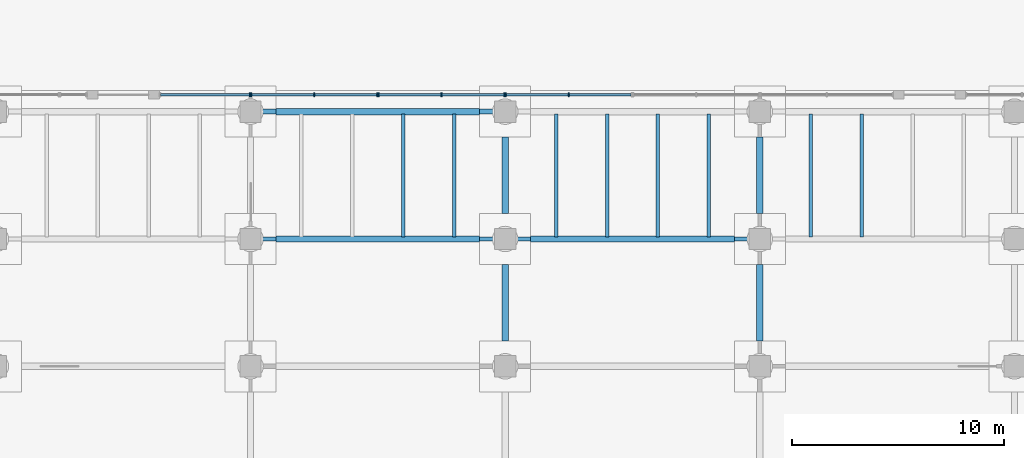
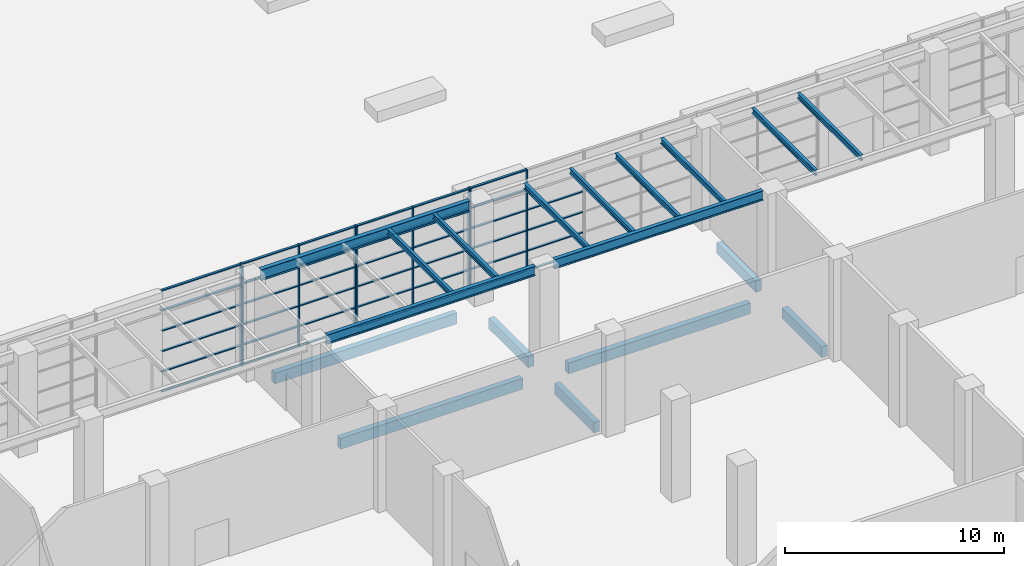
# One storey, part 5 of 27: 49 members, 18 beams, 4 elements without a shape of their own.
"""IFC4 building model written with IfcOpenShell, lengths in metres."""

from ifc_helpers import new_model, si_unit, direction, frame, origin, origin_2d, place, context, subcontext, project, spatial, rectangle, i_section, extrude, source, transform, mapped, material, layer, layer_set, material_profile, profile_set, type_object, element, aggregate, save


model = new_model("IFC4")

# Units and contexts
model_context = context("Model", 3, precision=1e-05, world=origin(), true_north=direction((0.0, 1.0)))
body_context = subcontext(model_context, "Body", "Model", "MODEL_VIEW")
ifc_project = project(units=[si_unit("LENGTHUNIT", "METRE"), si_unit("AREAUNIT", "SQUARE_METRE"), si_unit("VOLUMEUNIT", "CUBIC_METRE"), si_unit("PLANEANGLEUNIT", "RADIAN"), si_unit("MASSUNIT", "GRAM", prefix="KILO")], contexts=[model_context])

# Site, building, storey
site_placement = place(None, origin())
site = spatial("IfcSite", under=ifc_project, at=site_placement, CompositionType="ELEMENT")
building_placement = place(site_placement, origin())
building = spatial("IfcBuilding", under=site, at=building_placement, Name="Poui Terraces", CompositionType="ELEMENT")
storey_placement = place(building_placement, origin())
storey = spatial("IfcBuildingStorey", under=building, at=storey_placement, Name="L00", CompositionType="ELEMENT", Elevation=0.0)

# Curtain wall, member
ifc_material_1 = material(Name="Clear glass", Category="glass")
ifc_layer = layer(ifc_material_1, 0.179931640625)
ifc_layer_set = layer_set([ifc_layer], Name="Clear glass")
curtain_wall_type = type_object("IfcCurtainWallType", Name="CURTAIN WALL CW-B RESIDENT LOBBY GLAZING", PredefinedType="NOTDEFINED", material=ifc_layer_set)
curtain_wall_1_placement = place(storey_placement, origin())
curtain_wall_1 = element("IfcCurtainWall", 1, at=curtain_wall_1_placement, inside=storey, type_object=curtain_wall_type, Name="CW-B RESIDENT LOBBY GLAZING", PredefinedType="NOTDEFINED")
ifc_material_2 = material(Name="Aluminium frame", Category="aluminium")
ifc_material_profile_1 = material_profile(ifc_material_2, rectangle(XDim=0.179931640625, YDim=0.06005859375, at=origin_2d()), Name="CW-B MULLION 60X180")
ifc_profile_set_1 = profile_set([ifc_material_profile_1], Name="Aluminium frame")
member_type_1 = type_object("IfcMemberType", Name="CW-B MULLION 60X180", PredefinedType="MULLION", material=ifc_profile_set_1)
member_1_placement = place(storey_placement, frame((47.969970703125, 74.800048828125, 0.0), z_axis=(0.0, 0.0, 1.0), x_axis=(0.0, -1.0, 0.0)))
member_1 = element("IfcMember", 2, at=member_1_placement, type_object=member_type_1, Name="CW-B mullion 1", PredefinedType="MULLION", context=body_context, shape_type="SweptSolid", body=[
    extrude(rectangle(XDim=0.179931640625, YDim=0.06005859375, at=origin_2d()), origin(), (0.0, 0.0, 1.0), 5.679931640625),
])

# Curtain wall, members
curtain_wall_2_placement = place(storey_placement, origin())
curtain_wall_2 = element("IfcCurtainWall", 3, at=curtain_wall_2_placement, inside=storey, type_object=curtain_wall_type, Name="CW-B RESIDENT LOBBY GLAZING", PredefinedType="NOTDEFINED")
member_2_placement = place(storey_placement, frame((53.969970703125, 74.800048828125, 0.0), z_axis=(0.0, 0.0, 1.0), x_axis=(0.0, -1.0, 0.0)))
member_2 = element("IfcMember", 4, at=member_2_placement, type_object=member_type_1, Name="CW-B mullion 1", PredefinedType="MULLION", context=body_context, shape_type="SweptSolid", body=[
    extrude(rectangle(XDim=0.179931640625, YDim=0.06005859375, at=origin_2d()), origin(), (0.0, 0.0, 1.0), 5.679931640625),
])
member_3_placement = place(storey_placement, frame((51.0, 74.800048828125, 0.0), z_axis=(0.0, 0.0, 1.0), x_axis=(0.0, -1.0, 0.0)))
member_3 = element("IfcMember", 5, at=member_3_placement, type_object=member_type_1, Name="CW-B mullion 2", PredefinedType="MULLION", context=body_context, shape_type="SweptSolid", body=[
    extrude(rectangle(XDim=0.179931640625, YDim=0.06005859375, at=origin_2d()), origin(), (0.0, 0.0, 1.0), 5.679931640625),
])
member_4_placement = place(storey_placement, frame((48.030029296875, 74.800048828125, 0.0), z_axis=(0.0, 0.0, 1.0), x_axis=(0.0, -1.0, 0.0)))
member_4 = element("IfcMember", 6, at=member_4_placement, type_object=member_type_1, Name="CW-B mullion 3", PredefinedType="MULLION", context=body_context, shape_type="SweptSolid", body=[
    extrude(rectangle(XDim=0.179931640625, YDim=0.06005859375, at=origin_2d()), origin(), (0.0, 0.0, 1.0), 5.679931640625),
])

curtain_wall_3_placement = place(storey_placement, origin())
curtain_wall_3 = element("IfcCurtainWall", 7, at=curtain_wall_3_placement, inside=storey, type_object=curtain_wall_type, Name="CW-B RESIDENT LOBBY GLAZING", PredefinedType="NOTDEFINED")
member_5_placement = place(storey_placement, frame((59.969970703125, 74.800048828125, 0.0), z_axis=(0.0, 0.0, 1.0), x_axis=(0.0, -1.0, 0.0)))
member_5 = element("IfcMember", 8, at=member_5_placement, type_object=member_type_1, Name="CW-B mullion 1", PredefinedType="MULLION", context=body_context, shape_type="SweptSolid", body=[
    extrude(rectangle(XDim=0.179931640625, YDim=0.06005859375, at=origin_2d()), origin(), (0.0, 0.0, 1.0), 5.679931640625),
])
member_6_placement = place(storey_placement, frame((57.0, 74.800048828125, 0.0), z_axis=(0.0, 0.0, 1.0), x_axis=(0.0, -1.0, 0.0)))
member_6 = element("IfcMember", 9, at=member_6_placement, type_object=member_type_1, Name="CW-B mullion 2", PredefinedType="MULLION", context=body_context, shape_type="SweptSolid", body=[
    extrude(rectangle(XDim=0.179931640625, YDim=0.06005859375, at=origin_2d()), origin(), (0.0, 0.0, 1.0), 5.679931640625),
])
member_7_placement = place(storey_placement, frame((54.030029296875, 74.800048828125, 0.0), z_axis=(0.0, 0.0, 1.0), x_axis=(0.0, -1.0, 0.0)))
member_7 = element("IfcMember", 10, at=member_7_placement, type_object=member_type_1, Name="CW-B mullion 3", PredefinedType="MULLION", context=body_context, shape_type="SweptSolid", body=[
    extrude(rectangle(XDim=0.179931640625, YDim=0.06005859375, at=origin_2d()), origin(), (0.0, 0.0, 1.0), 5.679931640625),
])

curtain_wall_4_placement = place(storey_placement, origin())
curtain_wall_4 = element("IfcCurtainWall", 11, at=curtain_wall_4_placement, inside=storey, type_object=curtain_wall_type, Name="CW-B RESIDENT LOBBY GLAZING", PredefinedType="NOTDEFINED")
member_8_placement = place(storey_placement, frame((63.0, 74.800048828125, 0.0), z_axis=(0.0, 0.0, 1.0), x_axis=(0.0, -1.0, 0.0)))
member_8 = element("IfcMember", 12, at=member_8_placement, type_object=member_type_1, Name="CW-B mullion 2", PredefinedType="MULLION", context=body_context, shape_type="SweptSolid", body=[
    extrude(rectangle(XDim=0.179931640625, YDim=0.06005859375, at=origin_2d()), origin(), (0.0, 0.0, 1.0), 5.679931640625),
])
member_9_placement = place(storey_placement, frame((60.030029296875, 74.800048828125, 0.0), z_axis=(0.0, 0.0, 1.0), x_axis=(0.0, -1.0, 0.0)))
member_9 = element("IfcMember", 13, at=member_9_placement, type_object=member_type_1, Name="CW-B mullion 3", PredefinedType="MULLION", context=body_context, shape_type="SweptSolid", body=[
    extrude(rectangle(XDim=0.179931640625, YDim=0.06005859375, at=origin_2d()), origin(), (0.0, 0.0, 1.0), 5.679931640625),
])

# Member
ifc_material_profile_2 = material_profile(ifc_material_2, rectangle(XDim=0.1201171875, YDim=0.06005859375, at=origin_2d()), Name="CW-B TRANSOM 60X120")
ifc_profile_set_2 = profile_set([ifc_material_profile_2], Name="Aluminium frame")
member_type_2 = type_object("IfcMemberType", Name="CW-B TRANSOM 60X120", PredefinedType="USERDEFINED", material=ifc_profile_set_2)
member_10_placement = place(storey_placement, frame((47.93994140625, 74.800048828125, 0.030029296875), z_axis=(-1.0, 0.0, 0.0), x_axis=(0.0, -1.0, 0.0)))
member_10 = element("IfcMember", 14, at=member_10_placement, type_object=member_type_2, Name="CW-B transom 1.1", ObjectType="TRANSOM", PredefinedType="USERDEFINED", context=body_context, shape_type="SweptSolid", body=[
    extrude(rectangle(XDim=0.1201171875, YDim=0.06005859375, at=origin_2d()), origin(), (0.0, 0.0, 1.0), 4.179931640625),
])

member_11_placement = place(storey_placement, frame((47.93994140625, 74.800048828125, 1.135986328125), z_axis=(-1.0, 0.0, 0.0), x_axis=(0.0, -1.0, 0.0)))
member_11 = element("IfcMember", 15, at=member_11_placement, type_object=member_type_2, Name="CW-B transom 1.2", ObjectType="TRANSOM", PredefinedType="USERDEFINED", context=body_context, shape_type="SweptSolid", body=[
    extrude(rectangle(XDim=0.1201171875, YDim=0.06005859375, at=origin_2d()), origin(), (0.0, 0.0, 1.0), 4.179931640625),
])

member_12_placement = place(storey_placement, frame((47.93994140625, 74.800048828125, 2.27197265625), z_axis=(-1.0, 0.0, 0.0), x_axis=(0.0, -1.0, 0.0)))
member_12 = element("IfcMember", 16, at=member_12_placement, type_object=member_type_2, Name="CW-B transom 1.3", ObjectType="TRANSOM", PredefinedType="USERDEFINED", context=body_context, shape_type="SweptSolid", body=[
    extrude(rectangle(XDim=0.1201171875, YDim=0.06005859375, at=origin_2d()), origin(), (0.0, 0.0, 1.0), 4.179931640625),
])

member_13_placement = place(storey_placement, frame((47.93994140625, 74.800048828125, 3.407958984375), z_axis=(-1.0, 0.0, 0.0), x_axis=(0.0, -1.0, 0.0)))
member_13 = element("IfcMember", 17, at=member_13_placement, type_object=member_type_2, Name="CW-B transom 1.4", ObjectType="TRANSOM", PredefinedType="USERDEFINED", context=body_context, shape_type="SweptSolid", body=[
    extrude(rectangle(XDim=0.1201171875, YDim=0.06005859375, at=origin_2d()), origin(), (0.0, 0.0, 1.0), 4.179931640625),
])

member_14_placement = place(storey_placement, frame((47.93994140625, 74.800048828125, 4.5439453125), z_axis=(-1.0, 0.0, 0.0), x_axis=(0.0, -1.0, 0.0)))
member_14 = element("IfcMember", 18, at=member_14_placement, type_object=member_type_2, Name="CW-B transom 1.5", ObjectType="TRANSOM", PredefinedType="USERDEFINED", context=body_context, shape_type="SweptSolid", body=[
    extrude(rectangle(XDim=0.1201171875, YDim=0.06005859375, at=origin_2d()), origin(), (0.0, 0.0, 1.0), 4.179931640625),
])

member_15_placement = place(storey_placement, frame((47.93994140625, 74.800048828125, 5.64990234375), z_axis=(-1.0, 0.0, 0.0), x_axis=(0.0, -1.0, 0.0)))
member_15 = element("IfcMember", 19, at=member_15_placement, type_object=member_type_2, Name="CW-B transom 1.6", ObjectType="TRANSOM", PredefinedType="USERDEFINED", context=body_context, shape_type="SweptSolid", body=[
    extrude(rectangle(XDim=0.1201171875, YDim=0.06005859375, at=origin_2d()), origin(), (0.0, 0.0, 1.0), 4.179931640625),
])

aggregate(curtain_wall_1, [member_1, member_10, member_11, member_12, member_13, member_14, member_15])

member_16_placement = place(storey_placement, frame((53.93994140625, 74.800048828125, 0.030029296875), z_axis=(-1.0, 0.0, 0.0), x_axis=(0.0, -1.0, 0.0)))
member_16 = element("IfcMember", 20, at=member_16_placement, type_object=member_type_2, Name="CW-B transom 1.1", ObjectType="TRANSOM", PredefinedType="USERDEFINED", context=body_context, shape_type="SweptSolid", body=[
    extrude(rectangle(XDim=0.1201171875, YDim=0.06005859375, at=origin_2d()), origin(), (0.0, 0.0, 1.0), 2.909912109375),
])

member_17_placement = place(storey_placement, frame((53.93994140625, 74.800048828125, 1.135986328125), z_axis=(-1.0, 0.0, 0.0), x_axis=(0.0, -1.0, 0.0)))
member_17 = element("IfcMember", 21, at=member_17_placement, type_object=member_type_2, Name="CW-B transom 1.2", ObjectType="TRANSOM", PredefinedType="USERDEFINED", context=body_context, shape_type="SweptSolid", body=[
    extrude(rectangle(XDim=0.1201171875, YDim=0.06005859375, at=origin_2d()), origin(), (0.0, 0.0, 1.0), 2.909912109375),
])

member_18_placement = place(storey_placement, frame((53.93994140625, 74.800048828125, 2.27197265625), z_axis=(-1.0, 0.0, 0.0), x_axis=(0.0, -1.0, 0.0)))
member_18 = element("IfcMember", 22, at=member_18_placement, type_object=member_type_2, Name="CW-B transom 1.3", ObjectType="TRANSOM", PredefinedType="USERDEFINED", context=body_context, shape_type="SweptSolid", body=[
    extrude(rectangle(XDim=0.1201171875, YDim=0.06005859375, at=origin_2d()), origin(), (0.0, 0.0, 1.0), 2.909912109375),
])

member_19_placement = place(storey_placement, frame((53.93994140625, 74.800048828125, 3.407958984375), z_axis=(-1.0, 0.0, 0.0), x_axis=(0.0, -1.0, 0.0)))
member_19 = element("IfcMember", 23, at=member_19_placement, type_object=member_type_2, Name="CW-B transom 1.4", ObjectType="TRANSOM", PredefinedType="USERDEFINED", context=body_context, shape_type="SweptSolid", body=[
    extrude(rectangle(XDim=0.1201171875, YDim=0.06005859375, at=origin_2d()), origin(), (0.0, 0.0, 1.0), 2.909912109375),
])

member_20_placement = place(storey_placement, frame((53.93994140625, 74.800048828125, 4.5439453125), z_axis=(-1.0, 0.0, 0.0), x_axis=(0.0, -1.0, 0.0)))
member_20 = element("IfcMember", 24, at=member_20_placement, type_object=member_type_2, Name="CW-B transom 1.5", ObjectType="TRANSOM", PredefinedType="USERDEFINED", context=body_context, shape_type="SweptSolid", body=[
    extrude(rectangle(XDim=0.1201171875, YDim=0.06005859375, at=origin_2d()), origin(), (0.0, 0.0, 1.0), 2.909912109375),
])

member_21_placement = place(storey_placement, frame((53.93994140625, 74.800048828125, 5.64990234375), z_axis=(-1.0, 0.0, 0.0), x_axis=(0.0, -1.0, 0.0)))
member_21 = element("IfcMember", 25, at=member_21_placement, type_object=member_type_2, Name="CW-B transom 1.6", ObjectType="TRANSOM", PredefinedType="USERDEFINED", context=body_context, shape_type="SweptSolid", body=[
    extrude(rectangle(XDim=0.1201171875, YDim=0.06005859375, at=origin_2d()), origin(), (0.0, 0.0, 1.0), 2.909912109375),
])

member_22_placement = place(storey_placement, frame((50.969970703125, 74.800048828125, 0.030029296875), z_axis=(-1.0, 0.0, 0.0), x_axis=(0.0, -1.0, 0.0)))
member_22 = element("IfcMember", 26, at=member_22_placement, type_object=member_type_2, Name="CW-B transom 2.1", ObjectType="TRANSOM", PredefinedType="USERDEFINED", context=body_context, shape_type="SweptSolid", body=[
    extrude(rectangle(XDim=0.1201171875, YDim=0.06005859375, at=origin_2d()), origin(), (0.0, 0.0, 1.0), 2.909912109375),
])

member_23_placement = place(storey_placement, frame((50.969970703125, 74.800048828125, 1.135986328125), z_axis=(-1.0, 0.0, 0.0), x_axis=(0.0, -1.0, 0.0)))
member_23 = element("IfcMember", 27, at=member_23_placement, type_object=member_type_2, Name="CW-B transom 2.2", ObjectType="TRANSOM", PredefinedType="USERDEFINED", context=body_context, shape_type="SweptSolid", body=[
    extrude(rectangle(XDim=0.1201171875, YDim=0.06005859375, at=origin_2d()), origin(), (0.0, 0.0, 1.0), 2.909912109375),
])

member_24_placement = place(storey_placement, frame((50.969970703125, 74.800048828125, 2.27197265625), z_axis=(-1.0, 0.0, 0.0), x_axis=(0.0, -1.0, 0.0)))
member_24 = element("IfcMember", 28, at=member_24_placement, type_object=member_type_2, Name="CW-B transom 2.3", ObjectType="TRANSOM", PredefinedType="USERDEFINED", context=body_context, shape_type="SweptSolid", body=[
    extrude(rectangle(XDim=0.1201171875, YDim=0.06005859375, at=origin_2d()), origin(), (0.0, 0.0, 1.0), 2.909912109375),
])

member_25_placement = place(storey_placement, frame((50.969970703125, 74.800048828125, 3.407958984375), z_axis=(-1.0, 0.0, 0.0), x_axis=(0.0, -1.0, 0.0)))
member_25 = element("IfcMember", 29, at=member_25_placement, type_object=member_type_2, Name="CW-B transom 2.4", ObjectType="TRANSOM", PredefinedType="USERDEFINED", context=body_context, shape_type="SweptSolid", body=[
    extrude(rectangle(XDim=0.1201171875, YDim=0.06005859375, at=origin_2d()), origin(), (0.0, 0.0, 1.0), 2.909912109375),
])

member_26_placement = place(storey_placement, frame((50.969970703125, 74.800048828125, 4.5439453125), z_axis=(-1.0, 0.0, 0.0), x_axis=(0.0, -1.0, 0.0)))
member_26 = element("IfcMember", 30, at=member_26_placement, type_object=member_type_2, Name="CW-B transom 2.5", ObjectType="TRANSOM", PredefinedType="USERDEFINED", context=body_context, shape_type="SweptSolid", body=[
    extrude(rectangle(XDim=0.1201171875, YDim=0.06005859375, at=origin_2d()), origin(), (0.0, 0.0, 1.0), 2.909912109375),
])

member_27_placement = place(storey_placement, frame((50.969970703125, 74.800048828125, 5.64990234375), z_axis=(-1.0, 0.0, 0.0), x_axis=(0.0, -1.0, 0.0)))
member_27 = element("IfcMember", 31, at=member_27_placement, type_object=member_type_2, Name="CW-B transom 2.6", ObjectType="TRANSOM", PredefinedType="USERDEFINED", context=body_context, shape_type="SweptSolid", body=[
    extrude(rectangle(XDim=0.1201171875, YDim=0.06005859375, at=origin_2d()), origin(), (0.0, 0.0, 1.0), 2.909912109375),
])

aggregate(curtain_wall_2, [member_2, member_3, member_4, member_16, member_17, member_18, member_19, member_20, member_21, member_22, member_23, member_24, member_25, member_26, member_27])

member_28_placement = place(storey_placement, frame((59.93994140625, 74.800048828125, 0.030029296875), z_axis=(-1.0, 0.0, 0.0), x_axis=(0.0, -1.0, 0.0)))
member_28 = element("IfcMember", 32, at=member_28_placement, type_object=member_type_2, Name="CW-B transom 1.1", ObjectType="TRANSOM", PredefinedType="USERDEFINED", context=body_context, shape_type="SweptSolid", body=[
    extrude(rectangle(XDim=0.1201171875, YDim=0.06005859375, at=origin_2d()), origin(), (0.0, 0.0, 1.0), 2.909912109375),
])

member_29_placement = place(storey_placement, frame((59.93994140625, 74.800048828125, 1.135986328125), z_axis=(-1.0, 0.0, 0.0), x_axis=(0.0, -1.0, 0.0)))
member_29 = element("IfcMember", 33, at=member_29_placement, type_object=member_type_2, Name="CW-B transom 1.2", ObjectType="TRANSOM", PredefinedType="USERDEFINED", context=body_context, shape_type="SweptSolid", body=[
    extrude(rectangle(XDim=0.1201171875, YDim=0.06005859375, at=origin_2d()), origin(), (0.0, 0.0, 1.0), 2.909912109375),
])

member_30_placement = place(storey_placement, frame((59.93994140625, 74.800048828125, 2.27197265625), z_axis=(-1.0, 0.0, 0.0), x_axis=(0.0, -1.0, 0.0)))
member_30 = element("IfcMember", 34, at=member_30_placement, type_object=member_type_2, Name="CW-B transom 1.3", ObjectType="TRANSOM", PredefinedType="USERDEFINED", context=body_context, shape_type="SweptSolid", body=[
    extrude(rectangle(XDim=0.1201171875, YDim=0.06005859375, at=origin_2d()), origin(), (0.0, 0.0, 1.0), 2.909912109375),
])

member_31_placement = place(storey_placement, frame((59.93994140625, 74.800048828125, 3.407958984375), z_axis=(-1.0, 0.0, 0.0), x_axis=(0.0, -1.0, 0.0)))
member_31 = element("IfcMember", 35, at=member_31_placement, type_object=member_type_2, Name="CW-B transom 1.4", ObjectType="TRANSOM", PredefinedType="USERDEFINED", context=body_context, shape_type="SweptSolid", body=[
    extrude(rectangle(XDim=0.1201171875, YDim=0.06005859375, at=origin_2d()), origin(), (0.0, 0.0, 1.0), 2.909912109375),
])

member_32_placement = place(storey_placement, frame((59.93994140625, 74.800048828125, 4.5439453125), z_axis=(-1.0, 0.0, 0.0), x_axis=(0.0, -1.0, 0.0)))
member_32 = element("IfcMember", 36, at=member_32_placement, type_object=member_type_2, Name="CW-B transom 1.5", ObjectType="TRANSOM", PredefinedType="USERDEFINED", context=body_context, shape_type="SweptSolid", body=[
    extrude(rectangle(XDim=0.1201171875, YDim=0.06005859375, at=origin_2d()), origin(), (0.0, 0.0, 1.0), 2.909912109375),
])

member_33_placement = place(storey_placement, frame((59.93994140625, 74.800048828125, 5.64990234375), z_axis=(-1.0, 0.0, 0.0), x_axis=(0.0, -1.0, 0.0)))
member_33 = element("IfcMember", 37, at=member_33_placement, type_object=member_type_2, Name="CW-B transom 1.6", ObjectType="TRANSOM", PredefinedType="USERDEFINED", context=body_context, shape_type="SweptSolid", body=[
    extrude(rectangle(XDim=0.1201171875, YDim=0.06005859375, at=origin_2d()), origin(), (0.0, 0.0, 1.0), 2.909912109375),
])

member_34_placement = place(storey_placement, frame((56.969970703125, 74.800048828125, 0.030029296875), z_axis=(-1.0, 0.0, 0.0), x_axis=(0.0, -1.0, 0.0)))
member_34 = element("IfcMember", 38, at=member_34_placement, type_object=member_type_2, Name="CW-B transom 2.1", ObjectType="TRANSOM", PredefinedType="USERDEFINED", context=body_context, shape_type="SweptSolid", body=[
    extrude(rectangle(XDim=0.1201171875, YDim=0.06005859375, at=origin_2d()), origin(), (0.0, 0.0, 1.0), 2.909912109375),
])

member_35_placement = place(storey_placement, frame((56.969970703125, 74.800048828125, 1.135986328125), z_axis=(-1.0, 0.0, 0.0), x_axis=(0.0, -1.0, 0.0)))
member_35 = element("IfcMember", 39, at=member_35_placement, type_object=member_type_2, Name="CW-B transom 2.2", ObjectType="TRANSOM", PredefinedType="USERDEFINED", context=body_context, shape_type="SweptSolid", body=[
    extrude(rectangle(XDim=0.1201171875, YDim=0.06005859375, at=origin_2d()), origin(), (0.0, 0.0, 1.0), 2.909912109375),
])

member_36_placement = place(storey_placement, frame((56.969970703125, 74.800048828125, 2.27197265625), z_axis=(-1.0, 0.0, 0.0), x_axis=(0.0, -1.0, 0.0)))
member_36 = element("IfcMember", 40, at=member_36_placement, type_object=member_type_2, Name="CW-B transom 2.3", ObjectType="TRANSOM", PredefinedType="USERDEFINED", context=body_context, shape_type="SweptSolid", body=[
    extrude(rectangle(XDim=0.1201171875, YDim=0.06005859375, at=origin_2d()), origin(), (0.0, 0.0, 1.0), 2.909912109375),
])

member_37_placement = place(storey_placement, frame((56.969970703125, 74.800048828125, 3.407958984375), z_axis=(-1.0, 0.0, 0.0), x_axis=(0.0, -1.0, 0.0)))
member_37 = element("IfcMember", 41, at=member_37_placement, type_object=member_type_2, Name="CW-B transom 2.4", ObjectType="TRANSOM", PredefinedType="USERDEFINED", context=body_context, shape_type="SweptSolid", body=[
    extrude(rectangle(XDim=0.1201171875, YDim=0.06005859375, at=origin_2d()), origin(), (0.0, 0.0, 1.0), 2.909912109375),
])

member_38_placement = place(storey_placement, frame((56.969970703125, 74.800048828125, 4.5439453125), z_axis=(-1.0, 0.0, 0.0), x_axis=(0.0, -1.0, 0.0)))
member_38 = element("IfcMember", 42, at=member_38_placement, type_object=member_type_2, Name="CW-B transom 2.5", ObjectType="TRANSOM", PredefinedType="USERDEFINED", context=body_context, shape_type="SweptSolid", body=[
    extrude(rectangle(XDim=0.1201171875, YDim=0.06005859375, at=origin_2d()), origin(), (0.0, 0.0, 1.0), 2.909912109375),
])

member_39_placement = place(storey_placement, frame((56.969970703125, 74.800048828125, 5.64990234375), z_axis=(-1.0, 0.0, 0.0), x_axis=(0.0, -1.0, 0.0)))
member_39 = element("IfcMember", 43, at=member_39_placement, type_object=member_type_2, Name="CW-B transom 2.6", ObjectType="TRANSOM", PredefinedType="USERDEFINED", context=body_context, shape_type="SweptSolid", body=[
    extrude(rectangle(XDim=0.1201171875, YDim=0.06005859375, at=origin_2d()), origin(), (0.0, 0.0, 1.0), 2.909912109375),
])

aggregate(curtain_wall_3, [member_5, member_6, member_7, member_28, member_29, member_30, member_31, member_32, member_33, member_34, member_35, member_36, member_37, member_38, member_39])

member_40_placement = place(storey_placement, frame((65.93994140625, 74.800048828125, 0.030029296875), z_axis=(-1.0, 0.0, 0.0), x_axis=(0.0, -1.0, 0.0)))
member_40 = element("IfcMember", 44, at=member_40_placement, type_object=member_type_2, Name="CW-B transom 1.1", ObjectType="TRANSOM", PredefinedType="USERDEFINED", context=body_context, shape_type="SweptSolid", body=[
    extrude(rectangle(XDim=0.1201171875, YDim=0.06005859375, at=origin_2d()), origin(), (0.0, 0.0, 1.0), 2.909912109375),
])

member_41_placement = place(storey_placement, frame((65.93994140625, 74.800048828125, 1.135986328125), z_axis=(-1.0, 0.0, 0.0), x_axis=(0.0, -1.0, 0.0)))
member_41 = element("IfcMember", 45, at=member_41_placement, type_object=member_type_2, Name="CW-B transom 1.2", ObjectType="TRANSOM", PredefinedType="USERDEFINED", context=body_context, shape_type="SweptSolid", body=[
    extrude(rectangle(XDim=0.1201171875, YDim=0.06005859375, at=origin_2d()), origin(), (0.0, 0.0, 1.0), 2.909912109375),
])

member_42_placement = place(storey_placement, frame((65.93994140625, 74.800048828125, 2.27197265625), z_axis=(-1.0, 0.0, 0.0), x_axis=(0.0, -1.0, 0.0)))
member_42 = element("IfcMember", 46, at=member_42_placement, type_object=member_type_2, Name="CW-B transom 1.3", ObjectType="TRANSOM", PredefinedType="USERDEFINED", context=body_context, shape_type="SweptSolid", body=[
    extrude(rectangle(XDim=0.1201171875, YDim=0.06005859375, at=origin_2d()), origin(), (0.0, 0.0, 1.0), 2.909912109375),
])

member_43_placement = place(storey_placement, frame((65.93994140625, 74.800048828125, 3.407958984375), z_axis=(-1.0, 0.0, 0.0), x_axis=(0.0, -1.0, 0.0)))
member_43 = element("IfcMember", 47, at=member_43_placement, type_object=member_type_2, Name="CW-B transom 1.4", ObjectType="TRANSOM", PredefinedType="USERDEFINED", context=body_context, shape_type="SweptSolid", body=[
    extrude(rectangle(XDim=0.1201171875, YDim=0.06005859375, at=origin_2d()), origin(), (0.0, 0.0, 1.0), 2.909912109375),
])

member_44_placement = place(storey_placement, frame((62.969970703125, 74.800048828125, 0.030029296875), z_axis=(-1.0, 0.0, 0.0), x_axis=(0.0, -1.0, 0.0)))
member_44 = element("IfcMember", 48, at=member_44_placement, type_object=member_type_2, Name="CW-B transom 2.1", ObjectType="TRANSOM", PredefinedType="USERDEFINED", context=body_context, shape_type="SweptSolid", body=[
    extrude(rectangle(XDim=0.1201171875, YDim=0.06005859375, at=origin_2d()), origin(), (0.0, 0.0, 1.0), 2.909912109375),
])

member_45_placement = place(storey_placement, frame((62.969970703125, 74.800048828125, 1.135986328125), z_axis=(-1.0, 0.0, 0.0), x_axis=(0.0, -1.0, 0.0)))
member_45 = element("IfcMember", 49, at=member_45_placement, type_object=member_type_2, Name="CW-B transom 2.2", ObjectType="TRANSOM", PredefinedType="USERDEFINED", context=body_context, shape_type="SweptSolid", body=[
    extrude(rectangle(XDim=0.1201171875, YDim=0.06005859375, at=origin_2d()), origin(), (0.0, 0.0, 1.0), 2.909912109375),
])

member_46_placement = place(storey_placement, frame((62.969970703125, 74.800048828125, 2.27197265625), z_axis=(-1.0, 0.0, 0.0), x_axis=(0.0, -1.0, 0.0)))
member_46 = element("IfcMember", 50, at=member_46_placement, type_object=member_type_2, Name="CW-B transom 2.3", ObjectType="TRANSOM", PredefinedType="USERDEFINED", context=body_context, shape_type="SweptSolid", body=[
    extrude(rectangle(XDim=0.1201171875, YDim=0.06005859375, at=origin_2d()), origin(), (0.0, 0.0, 1.0), 2.909912109375),
])

member_47_placement = place(storey_placement, frame((62.969970703125, 74.800048828125, 3.407958984375), z_axis=(-1.0, 0.0, 0.0), x_axis=(0.0, -1.0, 0.0)))
member_47 = element("IfcMember", 51, at=member_47_placement, type_object=member_type_2, Name="CW-B transom 2.4", ObjectType="TRANSOM", PredefinedType="USERDEFINED", context=body_context, shape_type="SweptSolid", body=[
    extrude(rectangle(XDim=0.1201171875, YDim=0.06005859375, at=origin_2d()), origin(), (0.0, 0.0, 1.0), 2.909912109375),
])

member_48_placement = place(storey_placement, frame((62.969970703125, 74.800048828125, 4.5439453125), z_axis=(-1.0, 0.0, 0.0), x_axis=(0.0, -1.0, 0.0)))
member_48 = element("IfcMember", 52, at=member_48_placement, type_object=member_type_2, Name="CW-B transom 2.5", ObjectType="TRANSOM", PredefinedType="USERDEFINED", context=body_context, shape_type="SweptSolid", body=[
    extrude(rectangle(XDim=0.1201171875, YDim=0.06005859375, at=origin_2d()), origin(), (0.0, 0.0, 1.0), 2.909912109375),
])

member_49_placement = place(storey_placement, frame((62.969970703125, 74.800048828125, 5.64990234375), z_axis=(-1.0, 0.0, 0.0), x_axis=(0.0, -1.0, 0.0)))
member_49 = element("IfcMember", 53, at=member_49_placement, type_object=member_type_2, Name="CW-B transom 2.6", ObjectType="TRANSOM", PredefinedType="USERDEFINED", context=body_context, shape_type="SweptSolid", body=[
    extrude(rectangle(XDim=0.1201171875, YDim=0.06005859375, at=origin_2d()), origin(), (0.0, 0.0, 1.0), 2.909912109375),
])

aggregate(curtain_wall_4, [member_8, member_9, member_40, member_41, member_42, member_43, member_44, member_45, member_46, member_47, member_48, member_49])

# Beams
ifc_material_3 = material(Name="Concrete 50 MPa", Category="concrete")
ifc_material_profile_3 = material_profile(ifc_material_3, rectangle(XDim=0.300048828125, YDim=0.60009765625, at=origin_2d()), Name="RC 300x600")
ifc_profile_set_3 = profile_set([ifc_material_profile_3], Name="Concrete 50 MPa")
beam_type_1 = type_object("IfcBeamType", Name="GROUND TIE BEAM 300x600 50MPa", PredefinedType="BEAM", material=ifc_profile_set_3)
shared_shape_1 = source(origin(), body_context, "Body", "SweptSolid", [
    extrude(rectangle(XDim=0.300048828125, YDim=0.60009765625, at=origin_2d()), origin(), (0.0, 0.0, 1.0), 9.60009765625),
])
for number, where, z_axis, x_axis, name in (
    (54, (49.199951171875, 68.0, -0.60009765625), (1.0, 0.0, 0.0), (0.0, 1.0, 0.0), "GROUND TIE BEAM"),
    (55, (61.199951171875, 68.0, -0.60009765625), (1.0, 0.0, 0.0), (0.0, 1.0, 0.0), "GROUND TIE BEAM"),
    (56, (49.199951171875, 74.0, -0.60009765625), (1.0, 0.0, 0.0), (0.0, 1.0, 0.0), "GROUND TIE BEAM"),
):
    element("IfcBeam", number, at=place(storey_placement, frame(where, z_axis=z_axis, x_axis=x_axis)), inside=storey, type_object=beam_type_1, Name=name, PredefinedType="BEAM", context=body_context, shape_type="MappedRepresentation", body=[
        mapped(shared_shape_1, transform((0.0, 0.0, 0.0))),
    ])
shared_shape_2 = source(origin(), body_context, "Body", "SweptSolid", [
    extrude(rectangle(XDim=0.300048828125, YDim=0.60009765625, at=origin_2d()), origin(), (0.0, 0.0, 1.0), 3.60009765625),
])
for number, where, z_axis, x_axis, name in (
    (57, (60.0, 63.199951171875, -0.60009765625), (0.0, 1.0, 0.0), (-1.0, 0.0, 0.0), "GROUND TIE BEAM"),
    (58, (72.0, 63.199951171875, -0.60009765625), (0.0, 1.0, 0.0), (-1.0, 0.0, 0.0), "GROUND TIE BEAM"),
    (59, (60.0, 69.199951171875, -0.60009765625), (0.0, 1.0, 0.0), (-1.0, 0.0, 0.0), "GROUND TIE BEAM"),
    (60, (72.0, 69.199951171875, -0.60009765625), (0.0, 1.0, 0.0), (-1.0, 0.0, 0.0), "GROUND TIE BEAM"),
):
    element("IfcBeam", number, at=place(storey_placement, frame(where, z_axis=z_axis, x_axis=x_axis)), inside=storey, type_object=beam_type_1, Name=name, PredefinedType="BEAM", context=body_context, shape_type="MappedRepresentation", body=[
        mapped(shared_shape_2, transform((0.0, 0.0, 0.0))),
    ])
ifc_material_4 = material(Name="Steel Grade 300 MPa", Category="steel")
ifc_material_profile_4 = material_profile(ifc_material_4, i_section(OverallWidth=0.22900390625, OverallDepth=0.611572265625, WebThickness=0.011962890625, FlangeThickness=0.01953125, FilletRadius=0.013916015625, at=origin_2d()), Name="610UB125")
ifc_profile_set_4 = profile_set([ifc_material_profile_4], Name="Steel Grade 300 MPa")
beam_type_2 = type_object("IfcBeamType", Name="TERRACE GIRDER 610UB125", PredefinedType="BEAM", material=ifc_profile_set_4)
shared_shape_3 = source(origin(), body_context, "Body", "SweptSolid", [
    extrude(i_section(OverallWidth=0.22900390625, OverallDepth=0.611572265625, WebThickness=0.011962890625, FlangeThickness=0.01953125, FilletRadius=0.013916015625, at=origin_2d()), origin(), (0.0, 0.0, 1.0), 11.0),
])
beam_placement = place(storey_placement, frame((48.5, 74.0, 5.374267578125), z_axis=(1.0, 0.0, 0.0), x_axis=(0.0, 1.0, 0.0)))
element("IfcBeam", 61, at=beam_placement, inside=storey, type_object=beam_type_2, Name="TERRACE GIRDER", PredefinedType="BEAM", context=body_context, shape_type="MappedRepresentation", body=[
    mapped(shared_shape_3, transform((0.0, 0.0, 0.0))),
])
ifc_material_profile_5 = material_profile(ifc_material_4, i_section(OverallWidth=0.208984375, OverallDepth=0.532958984375, WebThickness=0.01025390625, FlangeThickness=0.015625, FilletRadius=0.013916015625, at=origin_2d()), Name="530UB92.4")
ifc_profile_set_5 = profile_set([ifc_material_profile_5], Name="Steel Grade 300 MPa")
beam_type_3 = type_object("IfcBeamType", Name="TERRACE INNER GIRDER 530UB92.4", PredefinedType="BEAM", material=ifc_profile_set_5)
shared_shape_4 = source(origin(), body_context, "Body", "SweptSolid", [
    extrude(i_section(OverallWidth=0.208984375, OverallDepth=0.532958984375, WebThickness=0.01025390625, FlangeThickness=0.015625, FilletRadius=0.013916015625, at=origin_2d()), origin(), (0.0, 0.0, 1.0), 11.0),
])
for number, where, z_axis, x_axis, name in (
    (62, (48.5, 68.0, 5.41357421875), (1.0, 0.0, 0.0), (0.0, 1.0, 0.0), "TERRACE GIRDER"),
    (63, (60.5, 68.0, 5.41357421875), (1.0, 0.0, 0.0), (0.0, 1.0, 0.0), "TERRACE GIRDER"),
):
    element("IfcBeam", number, at=place(storey_placement, frame(where, z_axis=z_axis, x_axis=x_axis)), inside=storey, type_object=beam_type_3, Name=name, PredefinedType="BEAM", context=body_context, shape_type="MappedRepresentation", body=[
        mapped(shared_shape_4, transform((0.0, 0.0, 0.0))),
    ])
ifc_material_profile_6 = material_profile(ifc_material_4, i_section(OverallWidth=0.166015625, OverallDepth=0.30712890625, WebThickness=0.006591796875, FlangeThickness=0.01171875, FilletRadius=0.011474609375, at=origin_2d()), Name="310UB46.2")
ifc_profile_set_6 = profile_set([ifc_material_profile_6], Name="Steel Grade 300 MPa")
beam_type_4 = type_object("IfcBeamType", Name="TERRACE BEAM 310UB46.2", PredefinedType="BEAM", material=ifc_profile_set_6)
shared_shape_5 = source(origin(), body_context, "Body", "SweptSolid", [
    extrude(i_section(OverallWidth=0.166015625, OverallDepth=0.30712890625, WebThickness=0.006591796875, FlangeThickness=0.01171875, FilletRadius=0.011474609375, at=origin_2d()), origin(), (0.0, 0.0, 1.0), 5.781005859375),
])
for number, where, z_axis, x_axis, name in (
    (64, (55.199951171875, 68.1044921875, 5.5263671875), (0.0, 1.0, 0.0), (-1.0, 0.0, 0.0), "TERRACE BEAM"),
    (65, (57.60009765625, 68.1044921875, 5.5263671875), (0.0, 1.0, 0.0), (-1.0, 0.0, 0.0), "TERRACE BEAM"),
    (66, (62.39990234375, 68.1044921875, 5.5263671875), (0.0, 1.0, 0.0), (-1.0, 0.0, 0.0), "TERRACE BEAM"),
    (67, (64.800048828125, 68.1044921875, 5.5263671875), (0.0, 1.0, 0.0), (-1.0, 0.0, 0.0), "TERRACE BEAM"),
    (68, (67.199951171875, 68.1044921875, 5.5263671875), (0.0, 1.0, 0.0), (-1.0, 0.0, 0.0), "TERRACE BEAM"),
    (69, (69.60009765625, 68.1044921875, 5.5263671875), (0.0, 1.0, 0.0), (-1.0, 0.0, 0.0), "TERRACE BEAM"),
    (70, (74.39990234375, 68.1044921875, 5.5263671875), (0.0, 1.0, 0.0), (-1.0, 0.0, 0.0), "TERRACE BEAM"),
    (71, (76.800048828125, 68.1044921875, 5.5263671875), (0.0, 1.0, 0.0), (-1.0, 0.0, 0.0), "TERRACE BEAM"),
):
    element("IfcBeam", number, at=place(storey_placement, frame(where, z_axis=z_axis, x_axis=x_axis)), inside=storey, type_object=beam_type_4, Name=name, PredefinedType="BEAM", context=body_context, shape_type="MappedRepresentation", body=[
        mapped(shared_shape_5, transform((0.0, 0.0, 0.0))),
    ])

save(model, "model.ifc")
